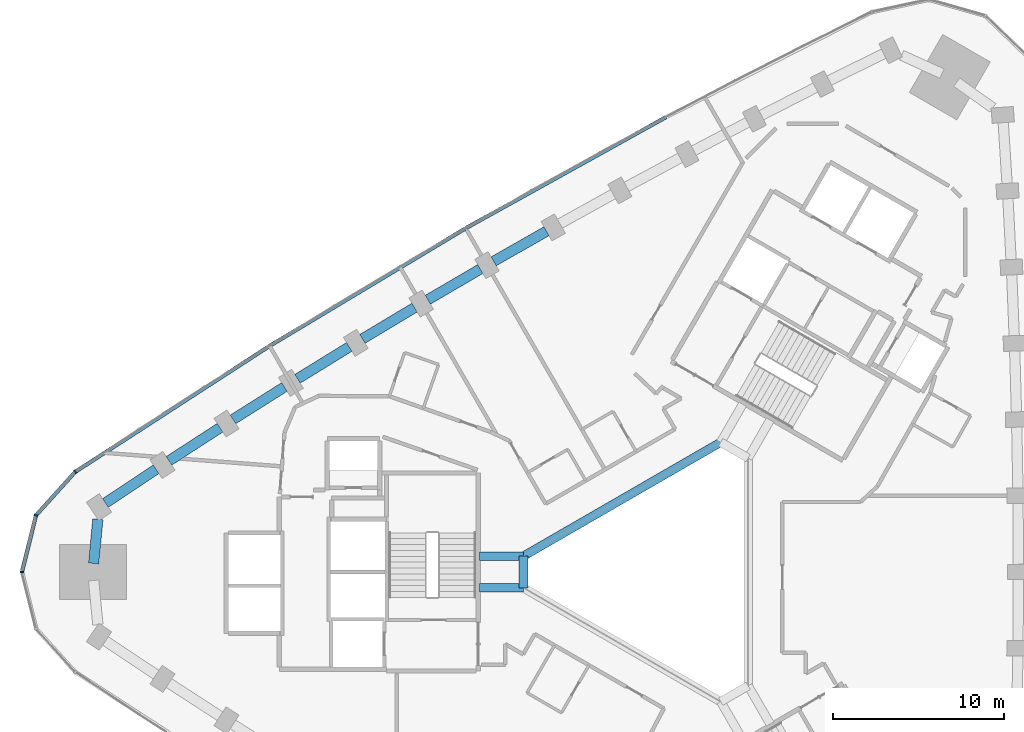
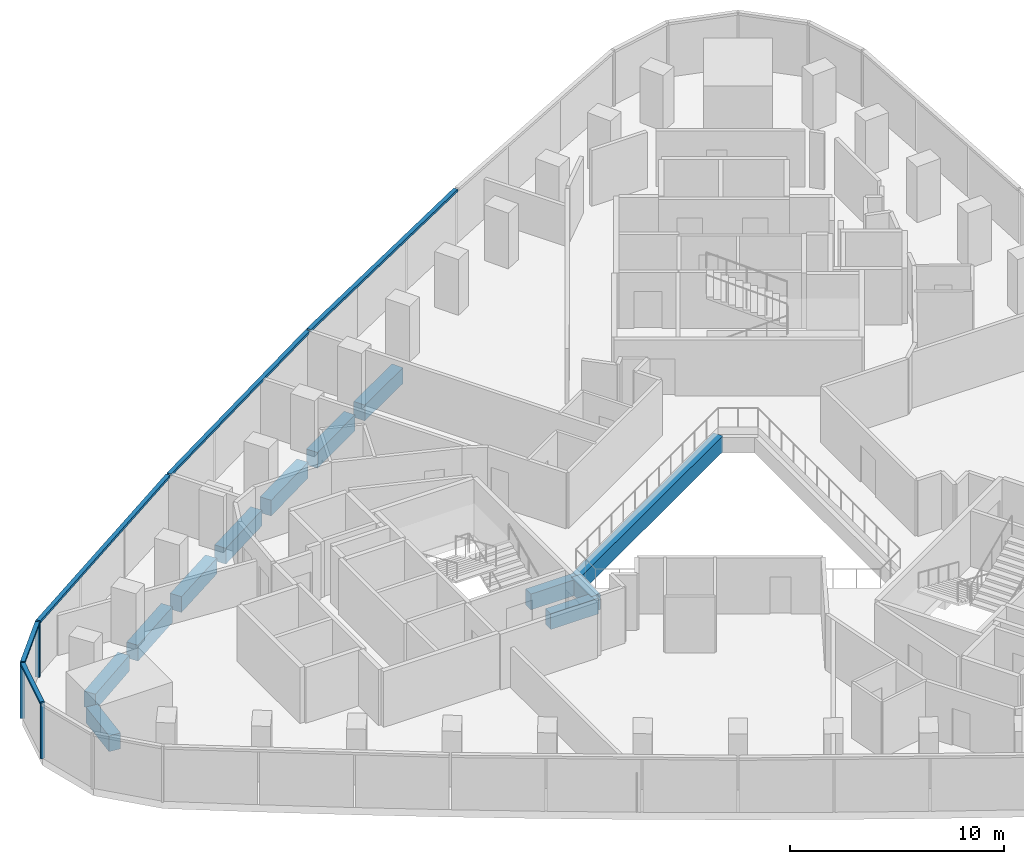
# One storey, part 4 of 12: 12 beams, 8 members, 1 element without a shape of its own.
"""IFC4 building model written with IfcOpenShell, lengths in metres."""

from ifc_helpers import new_model, si_unit, direction, frame, origin, origin_2d, place, context, subcontext, project, spatial, rectangle, extrude, material, material_profile, profile_set, type_object, element, aggregate, save


model = new_model("IFC4")

# Units and contexts
model_context = context("Model", 3, precision=1e-05, world=origin(), true_north=direction((0.0, 1.0)))
body_context = subcontext(model_context, "Body", "Model", "MODEL_VIEW")
ifc_project = project(units=[si_unit("LENGTHUNIT", "METRE"), si_unit("AREAUNIT", "SQUARE_METRE"), si_unit("VOLUMEUNIT", "CUBIC_METRE"), si_unit("PLANEANGLEUNIT", "RADIAN"), si_unit("MASSUNIT", "GRAM", prefix="KILO")], contexts=[model_context])

# Site, building, storey
site_placement = place(None, origin())
site = spatial("IfcSite", under=ifc_project, at=site_placement, CompositionType="ELEMENT")
building_placement = place(site_placement, origin())
building = spatial("IfcBuilding", under=site, at=building_placement, Name="Tamra Quay Hotel Tower", CompositionType="ELEMENT")
storey_placement = place(building_placement, frame((0.0, 0.0, 104.60009765625)))
storey = spatial("IfcBuildingStorey", under=building, at=storey_placement, Name="L25", CompositionType="ELEMENT", Elevation=104.60009765625)

# Beams
ifc_material_1 = material(Name="Concrete M60", Category="concrete")
ifc_material_profile_1 = material_profile(ifc_material_1, rectangle(XDim=0.5, YDim=0.89990234375, at=origin_2d()), Name="ATRIUM EDGE BEAM RC 500x900")
ifc_profile_set_1 = profile_set([ifc_material_profile_1], Name="Concrete M60")
beam_type_1 = type_object("IfcBeamType", Name="ATRIUM EDGE BEAM RC 500x900", PredefinedType="BEAM", material=ifc_profile_set_1)
beam_1_placement = place(storey_placement, frame((-8.199951171875, -0.923828125, -0.875), z_axis=(0.0, 1.0, 0.0), x_axis=(-1.0, 0.0, 0.0)))
element("IfcBeam", 1, at=beam_1_placement, inside=storey, type_object=beam_type_1, Name="BM-AB3-L25", PredefinedType="BEAM", context=body_context, shape_type="SweptSolid", body=[
    extrude(rectangle(XDim=0.5, YDim=0.89990234375, at=origin_2d()), origin(), (0.0, 0.0, 1.0), 1.84765625),
])
beam_2_placement = place(storey_placement, frame((-8.199951171875, 0.923828125, -0.875), z_axis=(0.866029440693, 0.499993007805, 0.0), x_axis=(-0.499993007805, 0.866029440693, 0.0)))
element("IfcBeam", 2, at=beam_2_placement, inside=storey, type_object=beam_type_1, Name="BM-AB4-L25", PredefinedType="BEAM", context=body_context, shape_type="SweptSolid", body=[
    extrude(rectangle(XDim=0.5, YDim=0.89990234375, at=origin_2d()), origin(), (0.0, 0.0, 1.0), 13.279052734375),
])
ifc_material_profile_2 = material_profile(ifc_material_1, rectangle(XDim=0.5, YDim=0.89990234375, at=origin_2d()), Name="ATRIUM TIE BEAM RC 500x900")
ifc_profile_set_2 = profile_set([ifc_material_profile_2], Name="Concrete M60")
beam_type_2 = type_object("IfcBeamType", Name="ATRIUM TIE BEAM RC 500x900", PredefinedType="BEAM", material=ifc_profile_set_2)
for number, where, z_axis, x_axis, name in (
    (3, (-8.199951171875, -0.923828125, -0.875), (-1.0, 0.0, 0.0), (0.0, -1.0, 0.0), "BM-TIE-3-L25"),
    (4, (-8.199951171875, 0.923828125, -0.875), (-1.0, 0.0, 0.0), (0.0, -1.0, 0.0), "BM-TIE-4-L25"),
):
    element("IfcBeam", number, at=place(storey_placement, frame(where, z_axis=z_axis, x_axis=x_axis)), inside=storey, type_object=beam_type_2, Name=name, PredefinedType="BEAM", context=body_context, shape_type="SweptSolid", body=[
        extrude(rectangle(XDim=0.5, YDim=0.89990234375, at=origin_2d()), origin(), (0.0, 0.0, 1.0), 2.562255859375),
    ])

# Curtain wall, members
ifc_material_2 = material(Name="Aluminium 6063 anodised dark grey", Category="aluminium")
curtain_wall_type = type_object("IfcCurtainWallType", Name="CW2 CURTAIN WALL", PredefinedType="NOTDEFINED", material=ifc_material_2)
curtain_wall_placement = place(storey_placement, origin())
curtain_wall = element("IfcCurtainWall", 5, at=curtain_wall_placement, inside=storey, type_object=curtain_wall_type, Name="CW2 north-west face L25", PredefinedType="NOTDEFINED")
ifc_material_profile_3 = material_profile(ifc_material_2, rectangle(XDim=0.219970703125, YDim=0.10009765625, at=origin_2d()), Name="MULLION 100X220")
ifc_profile_set_3 = profile_set([ifc_material_profile_3], Name="Aluminium 6063 anodised dark grey")
member_type_1 = type_object("IfcMemberType", Name="MULLION CW2 Z2", PredefinedType="MULLION", material=ifc_profile_set_3)
member_1_placement = place(storey_placement, frame((-34.338134765625, 5.839599609375, 0.0), z_axis=(0.0, 0.0, 1.0), x_axis=(-0.652886835472, 0.757455464081, 0.0)))
member_1 = element("IfcMember", 6, at=member_1_placement, type_object=member_type_1, Name="CW2 mullion L25.NW.13", PredefinedType="MULLION", context=body_context, shape_type="SweptSolid", body=[
    extrude(rectangle(XDim=0.219970703125, YDim=0.10009765625, at=origin_2d()), origin(), (0.0, 0.0, 1.0), 3.1748046875),
])
member_2_placement = place(storey_placement, frame((-36.623046875, 3.308349609375, 0.0), z_axis=(0.0, 0.0, 1.0), x_axis=(-0.882543846683, 0.47023011248, 0.0)))
member_2 = element("IfcMember", 7, at=member_2_placement, type_object=member_type_1, Name="CW2 mullion L25.NW.14", PredefinedType="MULLION", context=body_context, shape_type="SweptSolid", body=[
    extrude(rectangle(XDim=0.219970703125, YDim=0.10009765625, at=origin_2d()), origin(), (0.0, 0.0, 1.0), 3.1748046875),
])
member_3_placement = place(storey_placement, frame((-37.449462890625, 0.0, 0.0), z_axis=(0.0, 0.0, 1.0), x_axis=(-1.0, 0.0, 0.0)))
member_3 = element("IfcMember", 8, at=member_3_placement, type_object=member_type_1, Name="CW2 mullion L25.NW.15", PredefinedType="MULLION", context=body_context, shape_type="SweptSolid", body=[
    extrude(rectangle(XDim=0.219970703125, YDim=0.10009765625, at=origin_2d()), origin(), (0.0, 0.0, 1.0), 3.1748046875),
])

# Beams
ifc_material_profile_4 = material_profile(ifc_material_1, rectangle(XDim=0.60009765625, YDim=0.89990234375, at=origin_2d()), Name="SPANDREL BEAM RC 600x900")
ifc_profile_set_4 = profile_set([ifc_material_profile_4], Name="Concrete M60")
beam_type_3 = type_object("IfcBeamType", Name="SPANDREL BEAM RC 600x900", PredefinedType="SPANDREL", material=ifc_profile_set_4)
beam_3_placement = place(storey_placement, frame((-6.8583984375, 19.868896484375, -0.875), z_axis=(-0.868869699181, -0.495040852704, 0.0), x_axis=(0.495040852704, -0.868869699181, 0.0)))
element("IfcBeam", 9, at=beam_3_placement, inside=storey, type_object=beam_type_3, Name="BM-SP2-019-L25", PredefinedType="SPANDREL", context=body_context, shape_type="SweptSolid", body=[
    extrude(rectangle(XDim=0.60009765625, YDim=0.89990234375, at=origin_2d()), origin(), (0.0, 0.0, 1.0), 3.544921875),
])
for number, where, z_axis, x_axis, name in (
    (10, (-10.718017578125, 17.6640625, -0.875), (-0.863128698129, -0.504984010109, 0.0), (0.504984010109, -0.863128698129, 0.0), "BM-SP2-020-L25"),
    (11, (-14.552001953125, 15.415283203125, -0.875), (-0.857286231776, -0.514840088578, 0.0), (0.514840088578, -0.857286231776, 0.0), "BM-SP2-021-L25"),
):
    element("IfcBeam", number, at=place(storey_placement, frame(where, z_axis=z_axis, x_axis=x_axis)), inside=storey, type_object=beam_type_3, Name=name, PredefinedType="SPANDREL", context=body_context, shape_type="SweptSolid", body=[
        extrude(rectangle(XDim=0.60009765625, YDim=0.89990234375, at=origin_2d()), origin(), (0.0, 0.0, 1.0), 3.544677734375),
    ])
for number, where, z_axis, x_axis, name in (
    (12, (-18.35986328125, 13.122802734375, -0.875), (-0.851393361846, -0.524527733685, 0.0), (0.524527733685, -0.851393361846, 0.0), "BM-SP2-022-L25"),
    (13, (-22.1416015625, 10.787109375, -0.875), (-0.845333394052, -0.534239134566, 0.0), (0.534239134566, -0.845333394052, 0.0), "BM-SP2-023-L25"),
):
    element("IfcBeam", number, at=place(storey_placement, frame(where, z_axis=z_axis, x_axis=x_axis)), inside=storey, type_object=beam_type_3, Name=name, PredefinedType="SPANDREL", context=body_context, shape_type="SweptSolid", body=[
        extrude(rectangle(XDim=0.60009765625, YDim=0.89990234375, at=origin_2d()), origin(), (0.0, 0.0, 1.0), 3.544921875),
    ])
beam_4_placement = place(storey_placement, frame((-25.896240234375, 8.408203125, -0.875), z_axis=(-0.839237385713, -0.543765216266, 0.0), x_axis=(0.543765216266, -0.839237385713, 0.0)))
element("IfcBeam", 14, at=beam_4_placement, inside=storey, type_object=beam_type_3, Name="BM-SP2-024-L25", PredefinedType="SPANDREL", context=body_context, shape_type="SweptSolid", body=[
    extrude(rectangle(XDim=0.60009765625, YDim=0.89990234375, at=origin_2d()), origin(), (0.0, 0.0, 1.0), 3.544677734375),
])
beam_5_placement = place(storey_placement, frame((-29.623779296875, 5.98681640625, -0.875), z_axis=(-0.832981511469, -0.55330082374, 0.0), x_axis=(0.55330082374, -0.832981511469, 0.0)))
element("IfcBeam", 15, at=beam_5_placement, inside=storey, type_object=beam_type_3, Name="BM-SP2-025-L25", PredefinedType="SPANDREL", context=body_context, shape_type="SweptSolid", body=[
    extrude(rectangle(XDim=0.60009765625, YDim=0.89990234375, at=origin_2d()), origin(), (0.0, 0.0, 1.0), 3.544921875),
])
beam_6_placement = place(storey_placement, frame((-33.019287109375, 3.070556640625, -0.875), z_axis=(-0.09550001445, -0.995429428558, 0.0), x_axis=(0.995429428558, -0.09550001445, 0.0)))
element("IfcBeam", 16, at=beam_6_placement, inside=storey, type_object=beam_type_3, Name="BM-SP2-026-L25", PredefinedType="SPANDREL", context=body_context, shape_type="SweptSolid", body=[
    extrude(rectangle(XDim=0.60009765625, YDim=0.89990234375, at=origin_2d()), origin(), (0.0, 0.0, 1.0), 2.58447265625),
])

# Member
ifc_material_profile_5 = material_profile(ifc_material_2, rectangle(XDim=0.219970703125, YDim=0.139892578125, at=origin_2d()), Name="TRANSOM 220X140")
ifc_profile_set_5 = profile_set([ifc_material_profile_5], Name="Aluminium 6063 anodised dark grey")
member_type_2 = type_object("IfcMemberType", Name="TRANSOM CW2 Z2", PredefinedType="USERDEFINED", material=ifc_profile_set_5)
member_4_placement = place(storey_placement, frame((0.1181640625, 26.52978515625, 3.10498046875), z_axis=(-0.874459721019, -0.485098130605, 0.0), x_axis=(0.485098130605, -0.874459721019, 0.0)))
member_4 = element("IfcMember", 17, at=member_4_placement, type_object=member_type_2, Name="CW2 transom L25.NW.4", ObjectType="TRANSOM", PredefinedType="USERDEFINED", context=body_context, shape_type="SweptSolid", body=[
    extrude(rectangle(XDim=0.219970703125, YDim=0.139892578125, at=origin_2d()), origin(), (0.0, 0.0, 1.0), 13.3193359375),
])

member_5_placement = place(storey_placement, frame((-11.615478515625, 20.018798828125, 3.10498046875), z_axis=(-0.857332765871, -0.514762594372, 0.0), x_axis=(0.514762594372, -0.857332765871, 0.0)))
member_5 = element("IfcMember", 18, at=member_5_placement, type_object=member_type_2, Name="CW2 transom L25.NW.7", ObjectType="TRANSOM", PredefinedType="USERDEFINED", context=body_context, shape_type="SweptSolid", body=[
    extrude(rectangle(XDim=0.219970703125, YDim=0.139892578125, at=origin_2d()), origin(), (0.0, 0.0, 1.0), 13.319091796875),
])

member_6_placement = place(storey_placement, frame((-23.119384765625, 13.109619140625, 3.10498046875), z_axis=(-0.8392271939, -0.543780945804, 0.0), x_axis=(0.543780945804, -0.8392271939, 0.0)))
member_6 = element("IfcMember", 19, at=member_6_placement, type_object=member_type_2, Name="CW2 transom L25.NW.10", ObjectType="TRANSOM", PredefinedType="USERDEFINED", context=body_context, shape_type="SweptSolid", body=[
    extrude(rectangle(XDim=0.219970703125, YDim=0.139892578125, at=origin_2d()), origin(), (0.0, 0.0, 1.0), 13.318115234375),
])

member_7_placement = place(storey_placement, frame((-34.37158203125, 5.802490234375, 3.10498046875), z_axis=(-0.670080516261, -0.742288422196, 0.0), x_axis=(0.742288422196, -0.670080516261, 0.0)))
member_7 = element("IfcMember", 20, at=member_7_placement, type_object=member_type_2, Name="CW2 transom L25.NW.13", ObjectType="TRANSOM", PredefinedType="USERDEFINED", context=body_context, shape_type="SweptSolid", body=[
    extrude(rectangle(XDim=0.219970703125, YDim=0.139892578125, at=origin_2d()), origin(), (0.0, 0.0, 1.0), 3.31005859375),
])

member_8_placement = place(storey_placement, frame((-36.63525390625, 3.260009765625, 3.10498046875), z_axis=(-0.242292652285, -0.970203211007, 0.0), x_axis=(0.970203211007, -0.242292652285, 0.0)))
member_8 = element("IfcMember", 21, at=member_8_placement, type_object=member_type_2, Name="CW2 transom L25.NW.14", ObjectType="TRANSOM", PredefinedType="USERDEFINED", context=body_context, shape_type="SweptSolid", body=[
    extrude(rectangle(XDim=0.219970703125, YDim=0.139892578125, at=origin_2d()), origin(), (0.0, 0.0, 1.0), 3.31005859375),
])

aggregate(curtain_wall, [member_4, member_5, member_6, member_1, member_7, member_2, member_8, member_3])

save(model, "model.ifc")
